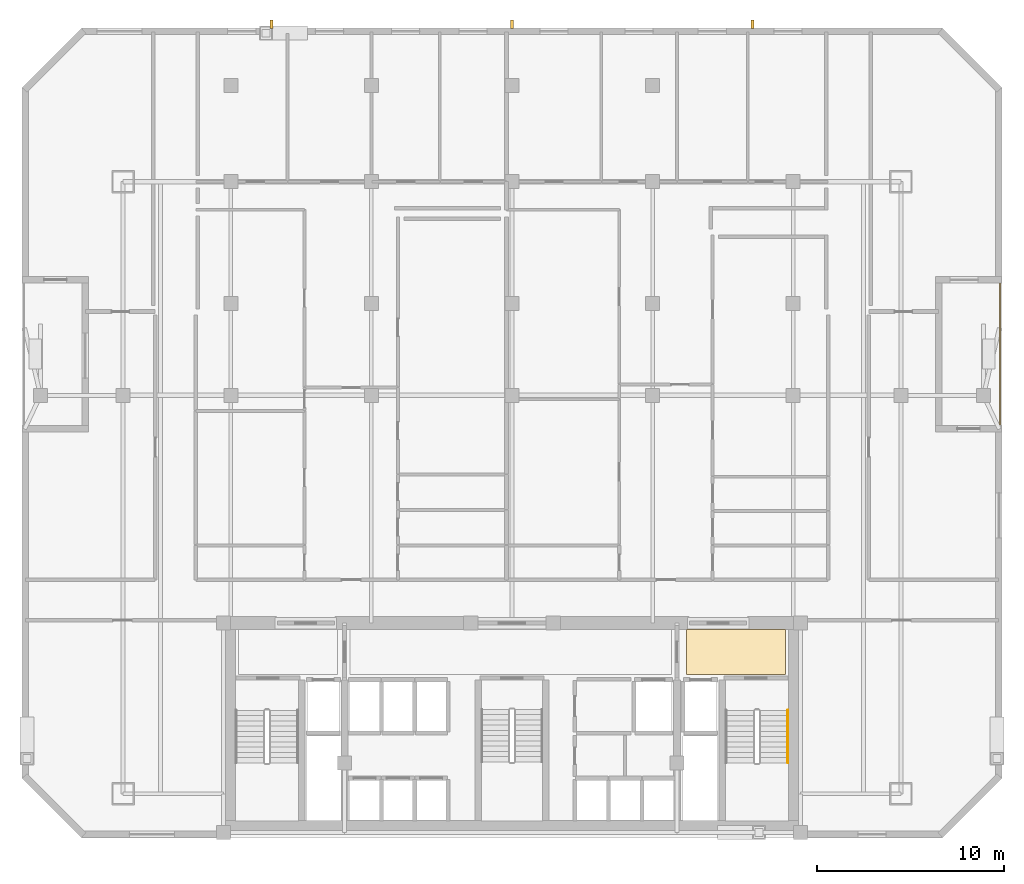
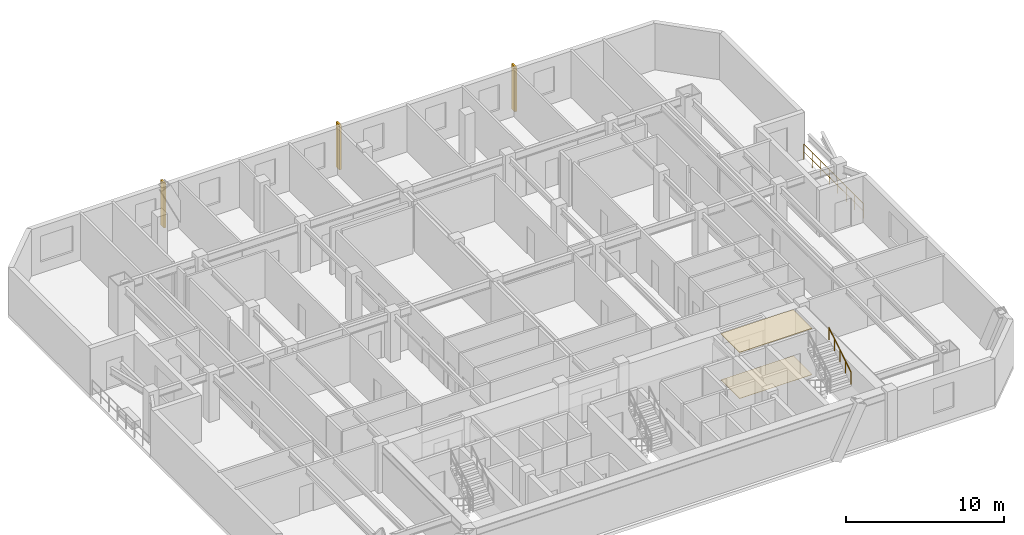
# One storey, part 9 of 9: 3 shading devices, 2 coverings, 2 railings.
"""IFC4 building model written with IfcOpenShell, lengths in metres."""

from ifc_helpers import new_model, si_unit, direction, frame, origin, origin_2d, place, context, subcontext, project, spatial, polyline, rectangle, circle, outline, extrude, material, layer, layer_set, type_object, element, save


model = new_model("IFC4")

# Units and contexts
model_context = context("Model", 3, precision=1e-05, world=origin(), true_north=direction((0.0, 1.0)))
body_context = subcontext(model_context, "Body", "Model", "MODEL_VIEW")
ifc_project = project(units=[si_unit("LENGTHUNIT", "METRE"), si_unit("AREAUNIT", "SQUARE_METRE"), si_unit("VOLUMEUNIT", "CUBIC_METRE"), si_unit("PLANEANGLEUNIT", "RADIAN"), si_unit("MASSUNIT", "GRAM", prefix="KILO")], contexts=[model_context])

# Site, building, storey
site_placement = place(None, origin())
site = spatial("IfcSite", under=ifc_project, at=site_placement, CompositionType="ELEMENT")
building_placement = place(site_placement, origin())
building = spatial("IfcBuilding", under=site, at=building_placement, Name="Ventersveld Concourse Tower", CompositionType="ELEMENT")
storey_placement = place(building_placement, frame((0.0, 0.0, 115.699951171875)))
storey = spatial("IfcBuildingStorey", under=building, at=storey_placement, Name="L28", CompositionType="ELEMENT", Elevation=115.699951171875)

# Coverings
ifc_material_1 = material(Name="Mineral-fibre acoustic ceiling tile", Category="gypsum")
ifc_layer_1 = layer(ifc_material_1, 0.0400390625)
ifc_layer_set_1 = layer_set([ifc_layer_1], Name="Mineral-fibre acoustic ceiling tile")
covering_type_1 = type_object("IfcCoveringType", Name="COV-CEIL-ACOUSTIC", PredefinedType="CEILING", material=ifc_layer_set_1)
covering_1_placement = place(storey_placement, frame((0.0, 0.0, 3.56005859375)))
element("IfcCovering", 1, at=covering_1_placement, inside=storey, type_object=covering_type_1, Name="L28 East Firefighting Lobby Acoustic Ceiling", PredefinedType="CEILING", context=body_context, shape_type="SweptSolid", body=[
    extrude(outline(polyline([(38.050048828125, 8.699951171875), (43.35009765625, 8.699951171875), (43.35009765625, 11.10009765625), (38.050048828125, 11.10009765625), (38.050048828125, 8.699951171875)])), origin(), (0.0, 0.0, 1.0), 0.0400390625),
])
ifc_material_2 = material(Name="Polished Highveld granite terrazzo", Category="masonry")
ifc_layer_2 = layer(ifc_material_2, 0.02001953125)
ifc_layer_set_2 = layer_set([ifc_layer_2], Name="Polished Highveld granite terrazzo")
covering_type_2 = type_object("IfcCoveringType", Name="COV-FLOOR-TERRAZZO", PredefinedType="FLOORING", material=ifc_layer_set_2)
covering_2_placement = place(storey_placement, origin())
element("IfcCovering", 2, at=covering_2_placement, inside=storey, type_object=covering_type_2, Name="L28 East Firefighting Lobby Terrazzo Flooring", PredefinedType="FLOORING", context=body_context, shape_type="SweptSolid", body=[
    extrude(outline(polyline([(38.050048828125, 8.699951171875), (43.35009765625, 8.699951171875), (43.35009765625, 11.10009765625), (38.050048828125, 11.10009765625), (38.050048828125, 8.699951171875)])), origin(), (0.0, 0.0, 1.0), 0.02001953125),
])

# Railings
ifc_material_3 = material(Name="Brushed stainless steel 316", Category="steel")
railing_type_1 = type_object("IfcRailingType", Name="GD-TER-120", PredefinedType="GUARDRAIL", material=ifc_material_3)
railing_1_placement = place(storey_placement, frame((54.780029296875, 22.050048828125, 0.0)))
element("IfcRailing", 3, at=railing_1_placement, inside=storey, type_object=railing_type_1, Name="L28 Outdoor Terrace Guardrail NOTCH-E", PredefinedType="GUARDRAIL", context=body_context, shape_type="SweptSolid", body=[
    extrude(circle(Radius=0.02392578125, at=origin_2d()), frame((0.0, 0.0, 1.17578125), z_axis=(0.0, 1.0, 0.0), x_axis=(-1.0, 0.0, 0.0)), (0.0, 0.0, 1.0), 7.5),
    extrude(circle(Radius=0.01611328125, at=origin_2d()), frame((0.0, 0.0, 0.60009765625), z_axis=(0.0, 1.0, 0.0), x_axis=(-1.0, 0.0, 0.0)), (0.0, 0.0, 1.0), 7.5),
    extrude(circle(Radius=0.02099609375, at=origin_2d()), origin(), (0.0, 0.0, 1.0), 1.15185546875),
    extrude(circle(Radius=0.02099609375, at=origin_2d()), frame((0.0, 1.071533203125, 0.0)), (0.0, 0.0, 1.0), 1.15185546875),
    extrude(circle(Radius=0.02099609375, at=origin_2d()), frame((0.0, 2.142822265625, 0.0)), (0.0, 0.0, 1.0), 1.15185546875),
    extrude(circle(Radius=0.02099609375, at=origin_2d()), frame((0.0, 3.21435546875, 0.0)), (0.0, 0.0, 1.0), 1.15185546875),
    extrude(circle(Radius=0.02099609375, at=origin_2d()), frame((0.0, 4.28564453125, 0.0)), (0.0, 0.0, 1.0), 1.15185546875),
    extrude(circle(Radius=0.02099609375, at=origin_2d()), frame((0.0, 5.357177734375, 0.0)), (0.0, 0.0, 1.0), 1.15185546875),
    extrude(circle(Radius=0.02099609375, at=origin_2d()), frame((0.0, 6.428466796875, 0.0)), (0.0, 0.0, 1.0), 1.15185546875),
    extrude(circle(Radius=0.02099609375, at=origin_2d()), frame((0.0, 7.5, 0.0)), (0.0, 0.0, 1.0), 1.15185546875),
])
railing_type_2 = type_object("IfcRailingType", Name="HR-RMP-095", PredefinedType="HANDRAIL", material=ifc_material_3)
railing_2_placement = place(storey_placement, frame((43.469970703125, 4.0, 2.10009765625)))
element("IfcRailing", 4, at=railing_2_placement, inside=storey, type_object=railing_type_2, Name="L28 ST-02 stair handrail 2", PredefinedType="HANDRAIL", context=body_context, shape_type="SweptSolid", body=[
    extrude(circle(Radius=0.02392578125, at=origin_2d()), frame((0.0, 0.0, 0.92578125), z_axis=(0.0, 0.848002457836, 0.529992293815), x_axis=(-1.0, 0.0, 0.0)), (0.0, 0.0, 1.0), 3.302001953125),
    extrude(circle(Radius=0.02099609375, at=origin_2d()), origin(), (0.0, 0.0, 1.0), 0.90185546875),
    extrude(circle(Radius=0.02099609375, at=origin_2d()), frame((0.0, 0.699951171875, 0.4375)), (0.0, 0.0, 1.0), 0.90185546875),
    extrude(circle(Radius=0.02099609375, at=origin_2d()), frame((0.0, 1.39990234375, 0.875)), (0.0, 0.0, 1.0), 0.90185546875),
    extrude(circle(Radius=0.02099609375, at=origin_2d()), frame((0.0, 2.10009765625, 1.3125)), (0.0, 0.0, 1.0), 0.90185546875),
    extrude(circle(Radius=0.02099609375, at=origin_2d()), frame((0.0, 2.800048828125, 1.75)), (0.0, 0.0, 1.0), 0.90185546875),
])

# Shading devices
ifc_material_4 = material(Name="Precast concrete C45/55", Category="concrete")
shading_device_type = type_object("IfcShadingDeviceType", Name="SHD-FIN-450", PredefinedType="USERDEFINED", material=ifc_material_4)
for number, where, z_axis, x_axis, name in (
    (5, (41.57958984375, 43.39990234375, 0.06005859375), (0.0, 0.0, 1.0), (1.0, 0.0, 0.0), "L28 North Vertical Solar Shading FIN 1"),
    (6, (28.75, 43.39990234375, 0.06005859375), (0.0, 0.0, 1.0), (1.0, 0.0, 0.0), "L28 North Vertical Solar Shading FIN 2"),
    (7, (15.92041015625, 43.39990234375, 0.06005859375), (0.0, 0.0, 1.0), (1.0, 0.0, 0.0), "L28 North Vertical Solar Shading FIN 3"),
):
    element("IfcShadingDevice", number, at=place(storey_placement, frame(where, z_axis=z_axis, x_axis=x_axis)), inside=storey, type_object=shading_device_type, Name=name, ObjectType="SUNSHADE", PredefinedType="USERDEFINED", context=body_context, shape_type="SweptSolid", body=[
        extrude(rectangle(XDim=0.139892578125, YDim=0.449951171875, at=origin_2d()), origin(), (0.0, 0.0, 1.0), 3.47998046875),
    ])

save(model, "model.ifc")
